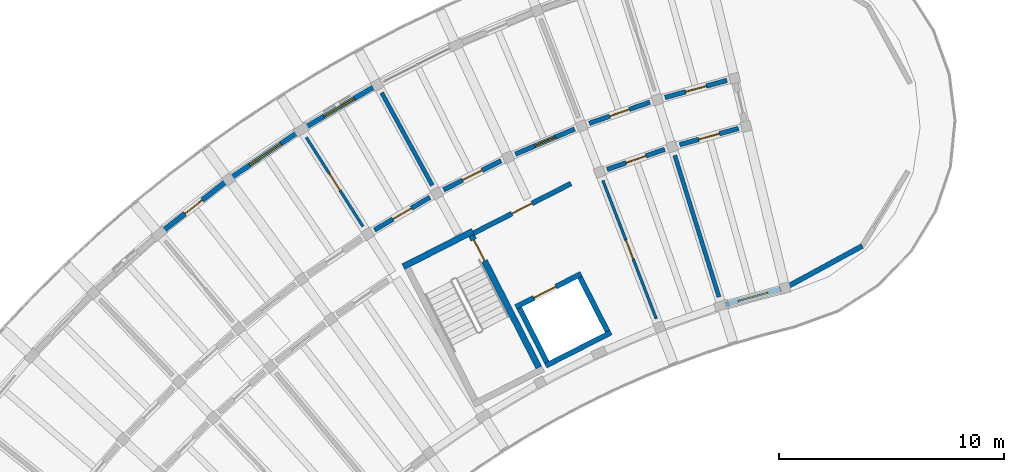
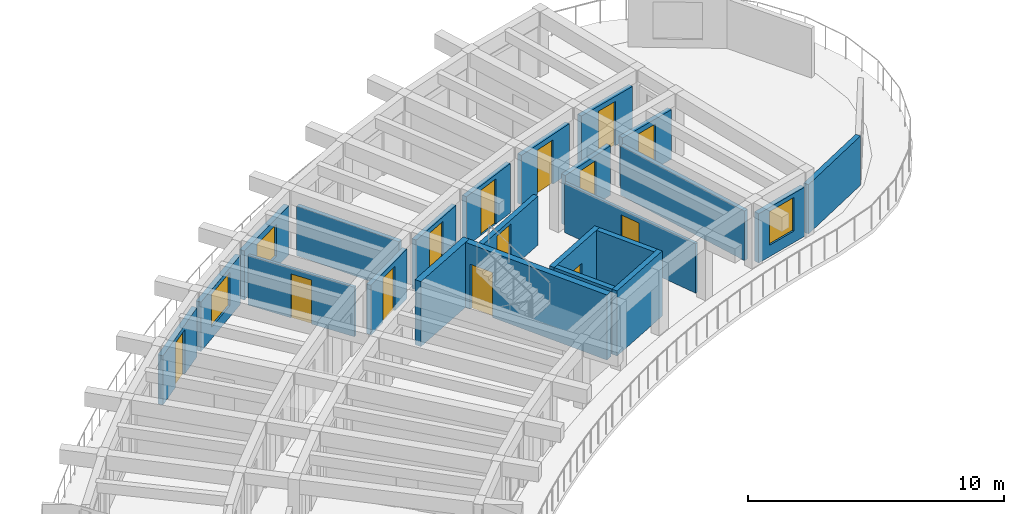
# One storey, part 20 of 32: 23 walls, 13 doors, 3 windows, 16 openings.
"""IFC4 building model written with IfcOpenShell, lengths in metres."""

from ifc_helpers import new_model, si_unit, direction, frame, frame_2d, origin, place, context, subcontext, project, spatial, rectangle, extrude, material, layer, layer_set, type_object, element, fill, save


model = new_model("IFC4")

# Units and contexts
model_context = context("Model", 3, precision=1e-05, world=origin(), true_north=direction((0.0, 1.0)))
body_context = subcontext(model_context, "Body", "Model", "MODEL_VIEW")
ifc_project = project(units=[si_unit("LENGTHUNIT", "METRE"), si_unit("AREAUNIT", "SQUARE_METRE"), si_unit("VOLUMEUNIT", "CUBIC_METRE"), si_unit("PLANEANGLEUNIT", "RADIAN"), si_unit("MASSUNIT", "GRAM", prefix="KILO")], contexts=[model_context])

# Site, building, storey
site_placement = place(None, origin())
site = spatial("IfcSite", under=ifc_project, at=site_placement, CompositionType="ELEMENT")
building_placement = place(site_placement, origin())
building = spatial("IfcBuilding", under=site, at=building_placement, Name="Tanwirah Colonnade Gardens", CompositionType="ELEMENT")
storey_placement = place(building_placement, frame((0.0, 0.0, 42.43994140625)))
storey = spatial("IfcBuildingStorey", under=building, at=storey_placement, Name="L12", CompositionType="ELEMENT", Elevation=42.43994140625)

# Wall, opening, window
ifc_material_1 = material(Name="Limestone architectural precast concrete C40/50", Category="masonry")
ifc_layer_1 = layer(ifc_material_1, 0.22509765625)
ifc_layer_set_1 = layer_set([ifc_layer_1], Name="Limestone architectural precast concrete C40/50")
wall_type_1 = type_object("IfcWallType", Name="EW-PC225", PredefinedType="SOLIDWALL", material=ifc_layer_set_1)
wall_1_placement = place(storey_placement, frame((54.3935546875, 103.35986328125, 0.0), z_axis=(0.0, 0.0, 1.0), x_axis=(-0.963881704158, -0.266330734968, 0.0)))
wall_1 = element("IfcWall", 1, at=wall_1_placement, inside=storey, type_object=wall_type_1, Name="Block A L12 IN Precast Facade Wall 2", PredefinedType="SOLIDWALL", context=body_context, shape_type="SweptSolid", body=[
    extrude(rectangle(XDim=2.5703125, YDim=0.22509765625, at=frame_2d((1.28515625, 0.0))), origin(), (0.0, 0.0, 1.0), 2.35498046875),
])
opening_1_placement = place(wall_1_placement, frame((0.60498046875, 0.0, 0.550048828125)))
opening_1 = element("IfcOpeningElement", 2, at=opening_1_placement, cuts=wall_1, Name="Opening WIN-U06", PredefinedType="OPENING", context=body_context, shape_type="SweptSolid", body=[
    extrude(rectangle(XDim=1.360107421875, YDim=1.610107421875, at=frame_2d((0.68017578125, 0.80517578125))), frame((0.0, 0.12255859375, 0.0), z_axis=(0.0, -1.0, 0.0), x_axis=(1.0, 0.0, 0.0)), (0.0, 0.0, 1.0), 0.2451171875),
])
ifc_material_2 = material(Name="Thermally broken bronze aluminium and solar low-E double glazing", Category="aluminium")
window_type_1 = type_object("IfcWindowType", Name="WIN-U06", PartitioningType="DOUBLE_PANEL_VERTICAL", PredefinedType="WINDOW", material=ifc_material_2)
window_1_placement = place(opening_1_placement, origin())
window_1 = element("IfcWindow", 3, at=window_1_placement, inside=storey, type_object=window_type_1, Name="Facade window A-L12-IN-02", OverallHeight=1.610107421875, OverallWidth=1.360107421875, PartitioningType="SINGLE_PANEL", PredefinedType="WINDOW", context=body_context, shape_type="SweptSolid", body=[
    extrude(rectangle(XDim=1.360107421875, YDim=1.610107421875, at=frame_2d((0.68017578125, 0.80517578125))), frame((0.0, 0.030029296875, 0.0), z_axis=(0.0, -1.0, 0.0), x_axis=(1.0, 0.0, 0.0)), (0.0, 0.0, 1.0), 0.06005859375),
])
fill(opening_1, window_1)

wall_2_placement = place(storey_placement, frame((36.26513671875, 112.3515625, 0.0), z_axis=(0.0, 0.0, 1.0), x_axis=(-0.861132283606, -0.508380949811, 0.0)))
wall_2 = element("IfcWall", 4, at=wall_2_placement, inside=storey, type_object=wall_type_1, Name="Block A L12 OUT Precast Facade Wall 6", PredefinedType="SOLIDWALL", context=body_context, shape_type="SweptSolid", body=[
    extrude(rectangle(XDim=3.565673828125, YDim=0.22509765625, at=frame_2d((1.78271484375, 0.0))), origin(), (0.0, 0.0, 1.0), 2.35498046875),
])
opening_2_placement = place(wall_2_placement, frame((1.002685546875, 0.0, 0.550048828125)))
opening_2 = element("IfcOpeningElement", 5, at=opening_2_placement, cuts=wall_2, Name="Opening WIN-U11", PredefinedType="OPENING", context=body_context, shape_type="SweptSolid", body=[
    extrude(rectangle(XDim=1.56005859375, YDim=1.510009765625, at=frame_2d((0.780029296875, 0.7548828125))), frame((0.0, 0.12255859375, 0.0), z_axis=(0.0, -1.0, 0.0), x_axis=(1.0, 0.0, 0.0)), (0.0, 0.0, 1.0), 0.2451171875),
])
window_type_2 = type_object("IfcWindowType", Name="WIN-U11", PartitioningType="DOUBLE_PANEL_VERTICAL", PredefinedType="WINDOW", material=ifc_material_2)
window_2_placement = place(opening_2_placement, origin())
window_2 = element("IfcWindow", 6, at=window_2_placement, inside=storey, type_object=window_type_2, Name="Facade window A-L12-OUT-06", OverallHeight=1.510009765625, OverallWidth=1.56005859375, PartitioningType="SINGLE_PANEL", PredefinedType="WINDOW", context=body_context, shape_type="SweptSolid", body=[
    extrude(rectangle(XDim=1.56005859375, YDim=1.510009765625, at=frame_2d((0.780029296875, 0.7548828125))), frame((0.0, 0.030029296875, 0.0), z_axis=(0.0, -1.0, 0.0), x_axis=(1.0, 0.0, 0.0)), (0.0, 0.0, 1.0), 0.06005859375),
])
fill(opening_2, window_2)

wall_3_placement = place(storey_placement, frame((32.916259765625, 110.36181640625, 0.0), z_axis=(0.0, 0.0, 1.0), x_axis=(-0.825772203118, -0.564003784169, 0.0)))
wall_3 = element("IfcWall", 7, at=wall_3_placement, inside=storey, type_object=wall_type_1, Name="Block A L12 OUT Precast Facade Wall 7", PredefinedType="SOLIDWALL", context=body_context, shape_type="SweptSolid", body=[
    extrude(rectangle(XDim=3.565673828125, YDim=0.22509765625, at=frame_2d((1.78271484375, 0.0))), origin(), (0.0, 0.0, 1.0), 2.35498046875),
])
opening_3_placement = place(wall_3_placement, frame((0.94287109375, 0.0, 0.550048828125)))
opening_3 = element("IfcOpeningElement", 8, at=opening_3_placement, cuts=wall_3, Name="Opening WIN-U14", PredefinedType="OPENING", context=body_context, shape_type="SweptSolid", body=[
    extrude(rectangle(XDim=1.679931640625, YDim=1.5849609375, at=frame_2d((0.83984375, 0.79248046875))), frame((0.0, 0.12255859375, 0.0), z_axis=(0.0, -1.0, 0.0), x_axis=(1.0, 0.0, 0.0)), (0.0, 0.0, 1.0), 0.2451171875),
])
window_type_3 = type_object("IfcWindowType", Name="WIN-U14", PartitioningType="DOUBLE_PANEL_VERTICAL", PredefinedType="WINDOW", material=ifc_material_2)
window_3_placement = place(opening_3_placement, origin())
window_3 = element("IfcWindow", 9, at=window_3_placement, inside=storey, type_object=window_type_3, Name="Facade window A-L12-OUT-07", OverallHeight=1.5849609375, OverallWidth=1.679931640625, PartitioningType="SINGLE_PANEL", PredefinedType="WINDOW", context=body_context, shape_type="SweptSolid", body=[
    extrude(rectangle(XDim=1.679931640625, YDim=1.5849609375, at=frame_2d((0.83984375, 0.79248046875))), frame((0.0, 0.030029296875, 0.0), z_axis=(0.0, -1.0, 0.0), x_axis=(1.0, 0.0, 0.0)), (0.0, 0.0, 1.0), 0.06005859375),
])
fill(opening_3, window_3)

# Wall, opening, door
wall_4_placement = place(storey_placement, frame((29.657470703125, 108.12060546875, 0.0), z_axis=(0.0, 0.0, 1.0), x_axis=(-0.786798003455, -0.617210581374, 0.0)))
wall_4 = element("IfcWall", 10, at=wall_4_placement, inside=storey, type_object=wall_type_1, Name="Block A L12 OUT Precast Facade Wall 8", PredefinedType="SOLIDWALL", context=body_context, shape_type="SweptSolid", body=[
    extrude(rectangle(XDim=3.56591796875, YDim=0.22509765625, at=frame_2d((1.782958984375, 0.0))), origin(), (0.0, 0.0, 1.0), 2.35498046875),
])
opening_4_placement = place(wall_4_placement, frame((1.29296875, 0.0, 0.0)))
opening_4 = element("IfcOpeningElement", 11, at=opening_4_placement, cuts=wall_4, Name="Opening L12-ED059", PredefinedType="OPENING", context=body_context, shape_type="SweptSolid", body=[
    extrude(rectangle(XDim=0.97998046875, YDim=2.1201171875, at=frame_2d((0.489990234375, 1.06005859375))), frame((0.0, 0.12255859375, 0.0), z_axis=(0.0, -1.0, 0.0), x_axis=(1.0, 0.0, 0.0)), (0.0, 0.0, 1.0), 0.2451171875),
])
ifc_material_3 = material(Name="Bronze aluminium glazed balcony door", Category="aluminium")
door_type_1 = type_object("IfcDoorType", Name="ED-BAL098", OperationType="NOTDEFINED", PredefinedType="DOOR", material=ifc_material_3)
door_1_placement = place(opening_4_placement, origin())
door_1 = element("IfcDoor", 12, at=door_1_placement, inside=storey, type_object=door_type_1, Name="Balcony glazed door L12-ED059", OperationType="SINGLE_SWING_LEFT", OverallHeight=2.1201171875, OverallWidth=0.97998046875, PredefinedType="DOOR", context=body_context, shape_type="SweptSolid", body=[
    extrude(rectangle(XDim=0.97998046875, YDim=2.1201171875, at=frame_2d((0.489990234375, 1.06005859375))), frame((0.0, 0.02490234375, 0.0), z_axis=(0.0, -1.0, 0.0), x_axis=(1.0, 0.0, 0.0)), (0.0, 0.0, 1.0), 0.050048828125),
])
fill(opening_4, door_1)

# Wall
wall_5_placement = place(storey_placement, frame((58.01416015625, 105.27978515625, 0.0), z_axis=(0.0, 0.0, 1.0), x_axis=(-0.87837025386, -0.477980854359, 0.0)))
element("IfcWall", 13, at=wall_5_placement, inside=storey, type_object=wall_type_1, Name="Block A L12 START Rounded End Wall 5", PredefinedType="SOLIDWALL", context=body_context, shape_type="SweptSolid", body=[
    extrude(rectangle(XDim=3.907958984375, YDim=0.22509765625, at=frame_2d((1.9541015625, 0.0))), origin(), (0.0, 0.0, 1.0), 2.35498046875),
])

# Wall, opening, door
ifc_material_4 = material(Name="Precast concrete C40/50", Category="concrete")
ifc_layer_2 = layer(ifc_material_4, 0.205078125)
ifc_layer_set_2 = layer_set([ifc_layer_2], Name="Precast concrete C40/50")
wall_type_2 = type_object("IfcWallType", Name="IW-CORR205", PredefinedType="PARTITIONING", material=ifc_layer_set_2)
wall_6_placement = place(storey_placement, frame((51.993896484375, 112.651123046875, 0.0), z_axis=(0.0, 0.0, 1.0), x_axis=(-0.963890789093, -0.266297853356, 0.0)))
wall_6 = element("IfcWall", 14, at=wall_6_placement, inside=storey, type_object=wall_type_2, Name="Block A L12 OUT Corridor Wall 2", PredefinedType="PARTITIONING", context=body_context, shape_type="SweptSolid", body=[
    extrude(rectangle(XDim=2.863037109375, YDim=0.205078125, at=frame_2d((1.431640625, 0.0))), origin(), (0.0, 0.0, 1.0), 2.3701171875),
])
opening_5_placement = place(wall_6_placement, frame((0.95654296875, 0.0, 0.0)))
opening_5 = element("IfcOpeningElement", 15, at=opening_5_placement, cuts=wall_6, Name="Opening L12-AD706", PredefinedType="OPENING", context=body_context, shape_type="SweptSolid", body=[
    extrude(rectangle(XDim=0.949951171875, YDim=2.1298828125, at=frame_2d((0.47509765625, 1.06494140625))), frame((0.0, 0.112548828125, 0.0), z_axis=(0.0, -1.0, 0.0), x_axis=(1.0, 0.0, 0.0)), (0.0, 0.0, 1.0), 0.22509765625),
])
ifc_material_5 = material(Name="Solid oak fire-resisting apartment entrance door")
door_type_2 = type_object("IfcDoorType", Name="ID-FLT095", OperationType="NOTDEFINED", PredefinedType="DOOR", material=ifc_material_5)
door_2_placement = place(opening_5_placement, origin())
door_2 = element("IfcDoor", 16, at=door_2_placement, inside=storey, type_object=door_type_2, Name="Apartment corridor door L12-AD706", OperationType="SINGLE_SWING_LEFT", OverallHeight=2.1298828125, OverallWidth=0.949951171875, PredefinedType="DOOR", context=body_context, shape_type="SweptSolid", body=[
    extrude(rectangle(XDim=0.949951171875, YDim=2.1298828125, at=frame_2d((0.47509765625, 1.06494140625))), frame((0.0, 0.02490234375, 0.0), z_axis=(0.0, -1.0, 0.0), x_axis=(1.0, 0.0, 0.0)), (0.0, 0.0, 1.0), 0.050048828125),
])
fill(opening_5, door_2)

wall_7_placement = place(storey_placement, frame((52.509521484375, 110.512451171875, 0.0), z_axis=(0.0, 0.0, 1.0), x_axis=(-0.96388375821, -0.266323301006, 0.0)))
wall_7 = element("IfcWall", 17, at=wall_7_placement, inside=storey, type_object=wall_type_2, Name="Block A L12 IN Corridor Wall 2", PredefinedType="PARTITIONING", context=body_context, shape_type="SweptSolid", body=[
    extrude(rectangle(XDim=2.718017578125, YDim=0.205078125, at=frame_2d((1.35888671875, 0.0))), origin(), (0.0, 0.0, 1.0), 2.3701171875),
])
opening_6_placement = place(wall_7_placement, frame((0.884033203125, 0.0, 0.0)))
opening_6 = element("IfcOpeningElement", 18, at=opening_6_placement, cuts=wall_7, Name="Opening L12-AD707", PredefinedType="OPENING", context=body_context, shape_type="SweptSolid", body=[
    extrude(rectangle(XDim=0.949951171875, YDim=2.1298828125, at=frame_2d((0.47509765625, 1.06494140625))), frame((0.0, 0.112548828125, 0.0), z_axis=(0.0, -1.0, 0.0), x_axis=(1.0, 0.0, 0.0)), (0.0, 0.0, 1.0), 0.22509765625),
])
door_3_placement = place(opening_6_placement, origin())
door_3 = element("IfcDoor", 19, at=door_3_placement, inside=storey, type_object=door_type_2, Name="Apartment corridor door L12-AD707", OperationType="SINGLE_SWING_RIGHT", OverallHeight=2.1298828125, OverallWidth=0.949951171875, PredefinedType="DOOR", context=body_context, shape_type="SweptSolid", body=[
    extrude(rectangle(XDim=0.949951171875, YDim=2.1298828125, at=frame_2d((0.47509765625, 1.06494140625))), frame((0.0, 0.02490234375, 0.0), z_axis=(0.0, -1.0, 0.0), x_axis=(1.0, 0.0, 0.0)), (0.0, 0.0, 1.0), 0.050048828125),
])
fill(opening_6, door_3)

wall_8_placement = place(storey_placement, frame((48.56640625, 111.68017578125, 0.0), z_axis=(0.0, 0.0, 1.0), x_axis=(-0.944253820929, -0.329218349522, 0.0)))
wall_8 = element("IfcWall", 20, at=wall_8_placement, inside=storey, type_object=wall_type_2, Name="Block A L12 OUT Corridor Wall 3", PredefinedType="PARTITIONING", context=body_context, shape_type="SweptSolid", body=[
    extrude(rectangle(XDim=2.86328125, YDim=0.205078125, at=frame_2d((1.431640625, 0.0))), origin(), (0.0, 0.0, 1.0), 2.3701171875),
])
opening_7_placement = place(wall_8_placement, frame((0.966552734375, 0.0, 0.0)))
opening_7 = element("IfcOpeningElement", 21, at=opening_7_placement, cuts=wall_8, Name="Opening L12-AD709", PredefinedType="OPENING", context=body_context, shape_type="SweptSolid", body=[
    extrude(rectangle(XDim=0.929931640625, YDim=2.1201171875, at=frame_2d((0.46484375, 1.06005859375))), frame((0.0, 0.112548828125, 0.0), z_axis=(0.0, -1.0, 0.0), x_axis=(1.0, 0.0, 0.0)), (0.0, 0.0, 1.0), 0.22509765625),
])
door_type_3 = type_object("IfcDoorType", Name="ID-FLT093", OperationType="NOTDEFINED", PredefinedType="DOOR", material=ifc_material_5)
door_4_placement = place(opening_7_placement, origin())
door_4 = element("IfcDoor", 22, at=door_4_placement, inside=storey, type_object=door_type_3, Name="Apartment corridor door L12-AD709", OperationType="SINGLE_SWING_RIGHT", OverallHeight=2.1201171875, OverallWidth=0.929931640625, PredefinedType="DOOR", context=body_context, shape_type="SweptSolid", body=[
    extrude(rectangle(XDim=0.929931640625, YDim=2.1201171875, at=frame_2d((0.46484375, 1.06005859375))), frame((0.0, 0.02490234375, 0.0), z_axis=(0.0, -1.0, 0.0), x_axis=(1.0, 0.0, 0.0)), (0.0, 0.0, 1.0), 0.050048828125),
])
fill(opening_7, door_4)

wall_9_placement = place(storey_placement, frame((49.221923828125, 109.580078125, 0.0), z_axis=(0.0, 0.0, 1.0), x_axis=(-0.944265123647, -0.329185929627, 0.0)))
wall_9 = element("IfcWall", 23, at=wall_9_placement, inside=storey, type_object=wall_type_2, Name="Block A L12 IN Corridor Wall 3", PredefinedType="PARTITIONING", context=body_context, shape_type="SweptSolid", body=[
    extrude(rectangle(XDim=2.71826171875, YDim=0.205078125, at=frame_2d((1.359130859375, 0.0))), origin(), (0.0, 0.0, 1.0), 2.3701171875),
])
opening_8_placement = place(wall_9_placement, frame((0.89404296875, 0.0, 0.0)))
opening_8 = element("IfcOpeningElement", 24, at=opening_8_placement, cuts=wall_9, Name="Opening L12-AD710", PredefinedType="OPENING", context=body_context, shape_type="SweptSolid", body=[
    extrude(rectangle(XDim=0.929931640625, YDim=2.1201171875, at=frame_2d((0.46484375, 1.06005859375))), frame((0.0, 0.112548828125, 0.0), z_axis=(0.0, -1.0, 0.0), x_axis=(1.0, 0.0, 0.0)), (0.0, 0.0, 1.0), 0.22509765625),
])
door_5_placement = place(opening_8_placement, origin())
door_5 = element("IfcDoor", 25, at=door_5_placement, inside=storey, type_object=door_type_3, Name="Apartment corridor door L12-AD710", OperationType="SINGLE_SWING_LEFT", OverallHeight=2.1201171875, OverallWidth=0.929931640625, PredefinedType="DOOR", context=body_context, shape_type="SweptSolid", body=[
    extrude(rectangle(XDim=0.929931640625, YDim=2.1201171875, at=frame_2d((0.46484375, 1.06005859375))), frame((0.0, 0.02490234375, 0.0), z_axis=(0.0, -1.0, 0.0), x_axis=(1.0, 0.0, 0.0)), (0.0, 0.0, 1.0), 0.050048828125),
])
fill(opening_8, door_5)

wall_10_placement = place(storey_placement, frame((45.210205078125, 110.485595703125, 0.0), z_axis=(0.0, 0.0, 1.0), x_axis=(-0.920511160294, -0.390716270168, 0.0)))
wall_10 = element("IfcWall", 26, at=wall_10_placement, inside=storey, type_object=wall_type_2, Name="Block A L12 OUT Corridor Wall 4", PredefinedType="PARTITIONING", context=body_context, shape_type="SweptSolid", body=[
    extrude(rectangle(XDim=2.863037109375, YDim=0.205078125, at=frame_2d((1.431640625, 0.0))), origin(), (0.0, 0.0, 1.0), 2.3701171875),
])
opening_9_placement = place(wall_10_placement, frame((0.9365234375, 0.0, 0.0)))
opening_9 = element("IfcOpeningElement", 27, at=opening_9_placement, cuts=wall_10, Name="Opening L12-AD712", PredefinedType="OPENING", context=body_context, shape_type="SweptSolid", body=[
    extrude(rectangle(XDim=0.989990234375, YDim=2.159912109375, at=frame_2d((0.4951171875, 1.080078125))), frame((0.0, 0.112548828125, 0.0), z_axis=(0.0, -1.0, 0.0), x_axis=(1.0, 0.0, 0.0)), (0.0, 0.0, 1.0), 0.22509765625),
])
door_type_4 = type_object("IfcDoorType", Name="ID-FLT099", OperationType="NOTDEFINED", PredefinedType="DOOR", material=ifc_material_5)
door_6_placement = place(opening_9_placement, origin())
door_6 = element("IfcDoor", 28, at=door_6_placement, inside=storey, type_object=door_type_4, Name="Apartment corridor door L12-AD712", OperationType="SINGLE_SWING_LEFT", OverallHeight=2.159912109375, OverallWidth=0.989990234375, PredefinedType="DOOR", context=body_context, shape_type="SweptSolid", body=[
    extrude(rectangle(XDim=0.989990234375, YDim=2.159912109375, at=frame_2d((0.4951171875, 1.080078125))), frame((0.0, 0.02490234375, 0.0), z_axis=(0.0, -1.0, 0.0), x_axis=(1.0, 0.0, 0.0)), (0.0, 0.0, 1.0), 0.050048828125),
])
fill(opening_9, door_6)

wall_11_placement = place(storey_placement, frame((41.93994140625, 109.072509765625, 0.0), z_axis=(0.0, 0.0, 1.0), x_axis=(-0.89273239336, -0.450587254419, 0.0)))
wall_11 = element("IfcWall", 29, at=wall_11_placement, inside=storey, type_object=wall_type_2, Name="Block A L12 OUT Corridor Wall 5", PredefinedType="PARTITIONING", context=body_context, shape_type="SweptSolid", body=[
    extrude(rectangle(XDim=2.863037109375, YDim=0.205078125, at=frame_2d((1.431640625, 0.0))), origin(), (0.0, 0.0, 1.0), 2.3701171875),
])
opening_10_placement = place(wall_11_placement, frame((0.946533203125, 0.0, 0.0)))
opening_10 = element("IfcOpeningElement", 30, at=opening_10_placement, cuts=wall_11, Name="Opening L12-AD713", PredefinedType="OPENING", context=body_context, shape_type="SweptSolid", body=[
    extrude(rectangle(XDim=0.969970703125, YDim=2.14990234375, at=frame_2d((0.48486328125, 1.074951171875))), frame((0.0, 0.112548828125, 0.0), z_axis=(0.0, -1.0, 0.0), x_axis=(1.0, 0.0, 0.0)), (0.0, 0.0, 1.0), 0.22509765625),
])
door_type_5 = type_object("IfcDoorType", Name="ID-FLT097", OperationType="NOTDEFINED", PredefinedType="DOOR", material=ifc_material_5)
door_7_placement = place(opening_10_placement, origin())
door_7 = element("IfcDoor", 31, at=door_7_placement, inside=storey, type_object=door_type_5, Name="Apartment corridor door L12-AD713", OperationType="SINGLE_SWING_RIGHT", OverallHeight=2.14990234375, OverallWidth=0.969970703125, PredefinedType="DOOR", context=body_context, shape_type="SweptSolid", body=[
    extrude(rectangle(XDim=0.969970703125, YDim=2.14990234375, at=frame_2d((0.48486328125, 1.074951171875))), frame((0.0, 0.02490234375, 0.0), z_axis=(0.0, -1.0, 0.0), x_axis=(1.0, 0.0, 0.0)), (0.0, 0.0, 1.0), 0.050048828125),
])
fill(opening_10, door_7)

wall_12_placement = place(storey_placement, frame((38.77001953125, 107.447021484375, 0.0), z_axis=(0.0, 0.0, 1.0), x_axis=(-0.861113214678, -0.508413248753, 0.0)))
wall_12 = element("IfcWall", 32, at=wall_12_placement, inside=storey, type_object=wall_type_2, Name="Block A L12 OUT Corridor Wall 6", PredefinedType="PARTITIONING", context=body_context, shape_type="SweptSolid", body=[
    extrude(rectangle(XDim=2.863037109375, YDim=0.205078125, at=frame_2d((1.431640625, 0.0))), origin(), (0.0, 0.0, 1.0), 2.3701171875),
])
opening_11_placement = place(wall_12_placement, frame((0.95654296875, 0.0, 0.0)))
opening_11 = element("IfcOpeningElement", 33, at=opening_11_placement, cuts=wall_12, Name="Opening L12-AD714", PredefinedType="OPENING", context=body_context, shape_type="SweptSolid", body=[
    extrude(rectangle(XDim=0.949951171875, YDim=2.1298828125, at=frame_2d((0.47509765625, 1.06494140625))), frame((0.0, 0.112548828125, 0.0), z_axis=(0.0, -1.0, 0.0), x_axis=(1.0, 0.0, 0.0)), (0.0, 0.0, 1.0), 0.22509765625),
])
door_8_placement = place(opening_11_placement, origin())
door_8 = element("IfcDoor", 34, at=door_8_placement, inside=storey, type_object=door_type_2, Name="Apartment corridor door L12-AD714", OperationType="SINGLE_SWING_LEFT", OverallHeight=2.1298828125, OverallWidth=0.949951171875, PredefinedType="DOOR", context=body_context, shape_type="SweptSolid", body=[
    extrude(rectangle(XDim=0.949951171875, YDim=2.1298828125, at=frame_2d((0.47509765625, 1.06494140625))), frame((0.0, 0.02490234375, 0.0), z_axis=(0.0, -1.0, 0.0), x_axis=(1.0, 0.0, 0.0)), (0.0, 0.0, 1.0), 0.050048828125),
])
fill(opening_11, door_8)

# Walls
ifc_layer_3 = layer(ifc_material_4, 0.18505859375)
ifc_layer_set_3 = layer_set([ifc_layer_3], Name="Precast concrete C40/50")
wall_type_3 = type_object("IfcWallType", Name="IW-DEM185", PredefinedType="PARTITIONING", material=ifc_layer_set_3)
wall_13_placement = place(storey_placement, frame((51.637939453125, 103.01318359375, 0.0), z_axis=(0.0, 0.0, 1.0), x_axis=(-0.2979590431, 0.954578655028, 0.0)))
element("IfcWall", 35, at=wall_13_placement, inside=storey, type_object=wall_type_3, Name="Block A L12 Inner Radial Partition 2", PredefinedType="PARTITIONING", context=body_context, shape_type="SweptSolid", body=[
    extrude(rectangle(XDim=6.60009765625, YDim=0.18505859375, at=frame_2d((3.300048828125, 0.0))), origin(), (0.0, 0.0, 1.0), 2.3701171875),
])
wall_14_placement = place(storey_placement, frame((38.879638671875, 107.975830078125, 0.0), z_axis=(0.0, 0.0, 1.0), x_axis=(-0.479721743761, 0.877420679357, 0.0)))
element("IfcWall", 36, at=wall_14_placement, inside=storey, type_object=wall_type_3, Name="Block A L12 Radial Partition 5", PredefinedType="PARTITIONING", context=body_context, shape_type="SweptSolid", body=[
    extrude(rectangle(XDim=4.699951171875, YDim=0.18505859375, at=frame_2d((2.35009765625, 0.0))), origin(), (0.0, 0.0, 1.0), 2.3701171875),
])

# Wall, opening, door
ifc_material_6 = material(Name="Autoclaved aerated masonry blockwork", Category="masonry")
ifc_layer_4 = layer(ifc_material_6, 0.219970703125)
ifc_layer_set_4 = layer_set([ifc_layer_4], Name="Autoclaved aerated masonry blockwork")
wall_type_4 = type_object("IfcWallType", Name="IW-FFL220", PredefinedType="PARTITIONING", material=ifc_layer_set_4)
wall_15_placement = place(storey_placement, frame((40.68212890625, 105.833740234375, 0.0), z_axis=(0.0, 0.0, 1.0), x_axis=(0.891003372311, 0.453996685595, 0.0)))
wall_15 = element("IfcWall", 37, at=wall_15_placement, inside=storey, type_object=wall_type_4, Name="CORE-A1 L12 Enclosed Lobby Fire Wall", PredefinedType="PARTITIONING", context=body_context, shape_type="SweptSolid", body=[
    extrude(rectangle(XDim=4.900146484375, YDim=0.219970703125, at=frame_2d((2.4501953125, 0.0))), origin(), (0.0, 0.0, 1.0), 2.340087890625),
])
opening_12_placement = place(wall_15_placement, frame((1.949951171875, 0.0, 0.0)))
opening_12 = element("IfcOpeningElement", 38, at=opening_12_placement, cuts=wall_15, Name="Opening L12-LD030", PredefinedType="OPENING", context=body_context, shape_type="SweptSolid", body=[
    extrude(rectangle(XDim=1.0, YDim=2.14990234375, at=frame_2d((0.5, 1.074951171875))), frame((0.0, 0.119873046875, 0.0), z_axis=(0.0, -1.0, 0.0), x_axis=(1.0, 0.0, 0.0)), (0.0, 0.0, 1.0), 0.239990234375),
])
ifc_material_7 = material(Name="Acoustic fire-resisting lobby door")
door_type_6 = type_object("IfcDoorType", Name="ID-FFL100", OperationType="NOTDEFINED", PredefinedType="DOOR", material=ifc_material_7)
door_9_placement = place(opening_12_placement, origin())
door_9 = element("IfcDoor", 39, at=door_9_placement, inside=storey, type_object=door_type_6, Name="CORE-A1 L12 Lobby Fire Door L12-LD030", OperationType="SINGLE_SWING_LEFT", OverallHeight=2.14990234375, OverallWidth=1.0, PredefinedType="DOOR", context=body_context, shape_type="SweptSolid", body=[
    extrude(rectangle(XDim=1.0, YDim=2.14990234375, at=frame_2d((0.5, 1.074951171875))), frame((0.0, 0.02490234375, 0.0), z_axis=(0.0, -1.0, 0.0), x_axis=(1.0, 0.0, 0.0)), (0.0, 0.0, 1.0), 0.050048828125),
])
fill(opening_12, door_9)

ifc_material_8 = material(Name="Moisture-resistant gypsum stud partition")
ifc_layer_5 = layer(ifc_material_8, 0.125)
ifc_layer_set_5 = layer_set([ifc_layer_5], Name="Moisture-resistant gypsum stud partition")
wall_type_5 = type_object("IfcWallType", Name="IW-INT125", PredefinedType="PARTITIONING", material=ifc_layer_set_5)
wall_16_placement = place(storey_placement, frame((48.845947265625, 102.039794921875, 0.0), z_axis=(0.0, 0.0, 1.0), x_axis=(-0.360183473608, 0.932881485152, 0.0)))
wall_16 = element("IfcWall", 40, at=wall_16_placement, inside=storey, type_object=wall_type_5, Name="Block A L12 Inner Radial Partition 3", PredefinedType="PARTITIONING", context=body_context, shape_type="SweptSolid", body=[
    extrude(rectangle(XDim=6.599853515625, YDim=0.125, at=frame_2d((3.2998046875, 0.0))), origin(), (0.0, 0.0, 1.0), 2.3701171875),
])
opening_13_placement = place(wall_16_placement, frame((2.85498046875, 0.0, 0.0)))
opening_13 = element("IfcOpeningElement", 41, at=opening_13_placement, cuts=wall_16, Name="Opening L12-RD711", PredefinedType="OPENING", context=body_context, shape_type="SweptSolid", body=[
    extrude(rectangle(XDim=0.889892578125, YDim=2.10009765625, at=frame_2d((0.44482421875, 1.050048828125))), frame((0.0, 0.072509765625, 0.0), z_axis=(0.0, -1.0, 0.0), x_axis=(1.0, 0.0, 0.0)), (0.0, 0.0, 1.0), 0.14501953125),
])
ifc_material_9 = material(Name="Painted hardwood bedroom door", Category="wood")
door_type_7 = type_object("IfcDoorType", Name="ID-RM089", OperationType="NOTDEFINED", PredefinedType="DOOR", material=ifc_material_9)
door_10_placement = place(opening_13_placement, origin())
door_10 = element("IfcDoor", 42, at=door_10_placement, inside=storey, type_object=door_type_7, Name="Internal apartment door L12-RD711", OperationType="SINGLE_SWING_LEFT", OverallHeight=2.10009765625, OverallWidth=0.889892578125, PredefinedType="DOOR", context=body_context, shape_type="SweptSolid", body=[
    extrude(rectangle(XDim=0.889892578125, YDim=2.10009765625, at=frame_2d((0.44482421875, 1.050048828125))), frame((0.0, 0.02490234375, 0.0), z_axis=(0.0, -1.0, 0.0), x_axis=(1.0, 0.0, 0.0)), (0.0, 0.0, 1.0), 0.050048828125),
])
fill(opening_13, door_10)

wall_17_placement = place(storey_placement, frame((35.78857421875, 106.151123046875, 0.0), z_axis=(0.0, 0.0, 1.0), x_axis=(-0.536492262982, 0.843905238614, 0.0)))
wall_17 = element("IfcWall", 43, at=wall_17_placement, inside=storey, type_object=wall_type_5, Name="Block A L12 Radial Partition 6", PredefinedType="PARTITIONING", context=body_context, shape_type="SweptSolid", body=[
    extrude(rectangle(XDim=4.699951171875, YDim=0.125, at=frame_2d((2.35009765625, 0.0))), origin(), (0.0, 0.0, 1.0), 2.3701171875),
])
opening_14_placement = place(wall_17_placement, frame((1.89501953125, 0.0, 0.0)))
opening_14 = element("IfcOpeningElement", 44, at=opening_14_placement, cuts=wall_17, Name="Opening L12-RD715", PredefinedType="OPENING", context=body_context, shape_type="SweptSolid", body=[
    extrude(rectangle(XDim=0.909912109375, YDim=2.10009765625, at=frame_2d((0.455078125, 1.050048828125))), frame((0.0, 0.072509765625, 0.0), z_axis=(0.0, -1.0, 0.0), x_axis=(1.0, 0.0, 0.0)), (0.0, 0.0, 1.0), 0.14501953125),
])
ifc_material_10 = material(Name="Painted hardwood internal room door", Category="wood")
door_type_8 = type_object("IfcDoorType", Name="ID-RM091", OperationType="NOTDEFINED", PredefinedType="DOOR", material=ifc_material_10)
door_11_placement = place(opening_14_placement, origin())
door_11 = element("IfcDoor", 45, at=door_11_placement, inside=storey, type_object=door_type_8, Name="Internal apartment door L12-RD715", OperationType="SINGLE_SWING_LEFT", OverallHeight=2.10009765625, OverallWidth=0.909912109375, PredefinedType="DOOR", context=body_context, shape_type="SweptSolid", body=[
    extrude(rectangle(XDim=0.909912109375, YDim=2.10009765625, at=frame_2d((0.455078125, 1.050048828125))), frame((0.0, 0.02490234375, 0.0), z_axis=(0.0, -1.0, 0.0), x_axis=(1.0, 0.0, 0.0)), (0.0, 0.0, 1.0), 0.050048828125),
])
fill(opening_14, door_11)

# Wall
ifc_material_11 = material(Name="Concrete C45/55", Category="concrete")
ifc_layer_6 = layer(ifc_material_11, 0.280029296875)
ifc_layer_set_6 = layer_set([ifc_layer_6], Name="Concrete C45/55")
wall_type_6 = type_object("IfcWallType", Name="SW-CORE280", PredefinedType="SHEAR", material=ifc_layer_set_6)
wall_18_placement = place(storey_placement, frame((37.585205078125, 104.356689453125, 0.0), z_axis=(0.0, 0.0, 1.0), x_axis=(0.891020222667, 0.453963613958, 0.0)))
element("IfcWall", 46, at=wall_18_placement, inside=storey, type_object=wall_type_6, Name="CORE-A1 L12 Stair Shaft Shear Wall NEAR", PredefinedType="SHEAR", context=body_context, shape_type="SweptSolid", body=[
    extrude(rectangle(XDim=3.47998046875, YDim=0.280029296875, at=frame_2d((1.739990234375, 0.0))), origin(), (0.0, 0.0, 1.0), 3.110107421875),
])

# Wall, opening, door
wall_19_placement = place(storey_placement, frame((40.624755859375, 105.748291015625, 0.0), z_axis=(0.0, 0.0, 1.0), x_axis=(0.453992276384, -0.891005618941, 0.0)))
wall_19 = element("IfcWall", 47, at=wall_19_placement, inside=storey, type_object=wall_type_6, Name="CORE-A1 L12 Stair Shaft Shear Wall RIGHT", PredefinedType="SHEAR", context=body_context, shape_type="SweptSolid", body=[
    extrude(rectangle(XDim=6.599853515625, YDim=0.280029296875, at=frame_2d((3.2998046875, 0.0))), origin(), (0.0, 0.0, 1.0), 3.110107421875),
])
opening_15_placement = place(wall_19_placement, frame((0.219970703125, 0.0, 0.0)))
opening_15 = element("IfcOpeningElement", 48, at=opening_15_placement, cuts=wall_19, Name="Opening L12-SD014", PredefinedType="OPENING", context=body_context, shape_type="SweptSolid", body=[
    extrude(rectangle(XDim=1.050048828125, YDim=2.14990234375, at=frame_2d((0.52490234375, 1.074951171875))), frame((0.0, 0.14990234375, 0.0), z_axis=(0.0, -1.0, 0.0), x_axis=(1.0, 0.0, 0.0)), (0.0, 0.0, 1.0), 0.300048828125),
])
ifc_material_12 = material(Name="Steel fire-resisting stair enclosure door", Category="steel")
door_type_9 = type_object("IfcDoorType", Name="ID-ST105", OperationType="NOTDEFINED", PredefinedType="DOOR", material=ifc_material_12)
door_12_placement = place(opening_15_placement, origin())
door_12 = element("IfcDoor", 49, at=door_12_placement, inside=storey, type_object=door_type_9, Name="CORE-A1 L12 Stair Fire Door L12-SD014", OperationType="SINGLE_SWING_LEFT", OverallHeight=2.14990234375, OverallWidth=1.050048828125, PredefinedType="DOOR", context=body_context, shape_type="SweptSolid", body=[
    extrude(rectangle(XDim=1.050048828125, YDim=2.14990234375, at=frame_2d((0.52490234375, 1.074951171875))), frame((0.0, 0.02490234375, 0.0), z_axis=(0.0, -1.0, 0.0), x_axis=(1.0, 0.0, 0.0)), (0.0, 0.0, 1.0), 0.050048828125),
])
fill(opening_15, door_12)

ifc_layer_7 = layer(ifc_material_11, 0.22998046875)
ifc_layer_set_7 = layer_set([ifc_layer_7], Name="Concrete C45/55")
wall_type_7 = type_object("IfcWallType", Name="SW-LIFT230", PredefinedType="SHEAR", material=ifc_layer_set_7)
wall_20_placement = place(storey_placement, frame((42.5966796875, 102.561279296875, 0.0), z_axis=(0.0, 0.0, 1.0), x_axis=(0.891001200497, 0.454000947921, 0.0)))
wall_20 = element("IfcWall", 50, at=wall_20_placement, inside=storey, type_object=wall_type_7, Name="CORE-A1 L12 Lift Shaft Wall FRONT", PredefinedType="SHEAR", context=body_context, shape_type="SweptSolid", body=[
    extrude(rectangle(XDim=3.259765625, YDim=0.22998046875, at=frame_2d((1.6298828125, 0.0))), origin(), (0.0, 0.0, 1.0), 3.110107421875),
])
opening_16_placement = place(wall_20_placement, frame((0.89990234375, 0.0, 0.0)))
opening_16 = element("IfcOpeningElement", 51, at=opening_16_placement, cuts=wall_20, Name="Opening L12-LD-FL-A1", PredefinedType="OPENING", context=body_context, shape_type="SweptSolid", body=[
    extrude(rectangle(XDim=1.10009765625, YDim=2.14990234375, at=frame_2d((0.550048828125, 1.074951171875))), frame((0.0, 0.125, 0.0), z_axis=(0.0, -1.0, 0.0), x_axis=(1.0, 0.0, 0.0)), (0.0, 0.0, 1.0), 0.25),
])
ifc_material_13 = material(Name="Stainless steel sliding fire lift landing door", Category="steel")
door_type_10 = type_object("IfcDoorType", Name="LD-FF11", OperationType="DOUBLE_DOOR_SLIDING", PredefinedType="DOOR", material=ifc_material_13)
door_13_placement = place(opening_16_placement, origin())
door_13 = element("IfcDoor", 52, at=door_13_placement, inside=storey, type_object=door_type_10, Name="Lift FL-A1 L12 Sliding Landing Door", OperationType="DOUBLE_DOOR_SLIDING", OverallHeight=2.14990234375, OverallWidth=1.10009765625, PredefinedType="DOOR", context=body_context, shape_type="SweptSolid", body=[
    extrude(rectangle(XDim=1.10009765625, YDim=2.14990234375, at=frame_2d((0.550048828125, 1.074951171875))), frame((0.0, 0.02490234375, 0.0), z_axis=(0.0, -1.0, 0.0), x_axis=(1.0, 0.0, 0.0)), (0.0, 0.0, 1.0), 0.050048828125),
])
fill(opening_16, door_13)

# Walls
wall_21_placement = place(storey_placement, frame((43.9267578125, 99.950439453125, 0.0), z_axis=(0.0, 0.0, 1.0), x_axis=(0.891016635648, 0.453970654337, 0.0)))
element("IfcWall", 53, at=wall_21_placement, inside=storey, type_object=wall_type_7, Name="CORE-A1 L12 Lift Shaft Wall BACK", PredefinedType="SHEAR", context=body_context, shape_type="SweptSolid", body=[
    extrude(rectangle(XDim=3.260009765625, YDim=0.22998046875, at=frame_2d((1.6298828125, 0.0))), origin(), (0.0, 0.0, 1.0), 3.110107421875),
])
for number, where, z_axis, x_axis, name in (
    (54, (42.751220703125, 102.510986328125, 0.0), (0.0, 0.0, 1.0), (0.454000278178, -0.891001541758, 0.0), "CORE-A1 L12 Lift Shaft Wall SIDEA"),
    (55, (45.450927734375, 103.886474609375, 0.0), (0.0, 0.0, 1.0), (0.454000278178, -0.891001541758, 0.0), "CORE-A1 L12 Lift Shaft Wall SIDEB"),
):
    element("IfcWall", number, at=place(storey_placement, frame(where, z_axis=z_axis, x_axis=x_axis)), inside=storey, type_object=wall_type_7, Name=name, PredefinedType="SHEAR", context=body_context, shape_type="SweptSolid", body=[
        extrude(rectangle(XDim=2.699951171875, YDim=0.22998046875, at=frame_2d((1.35009765625, 0.0))), origin(), (0.0, 0.0, 1.0), 3.110107421875),
    ])

save(model, "model.ifc")
